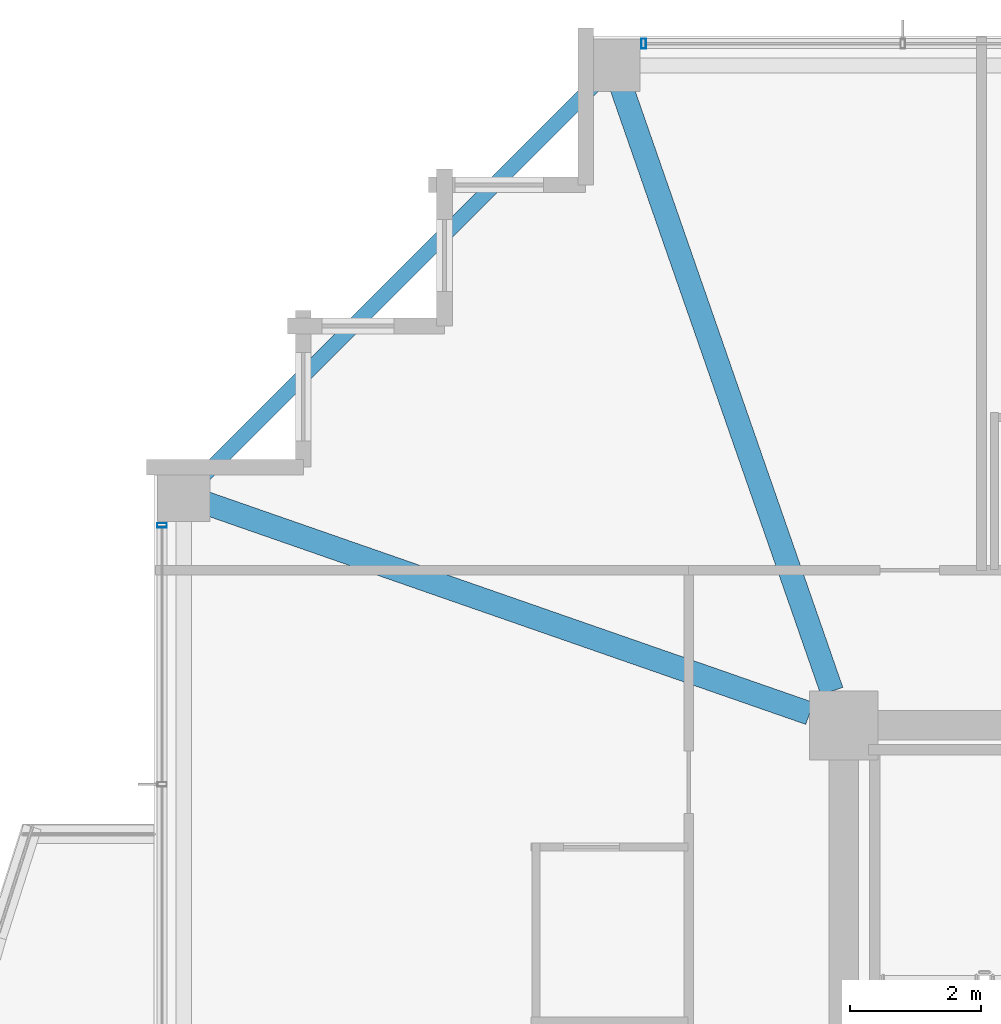
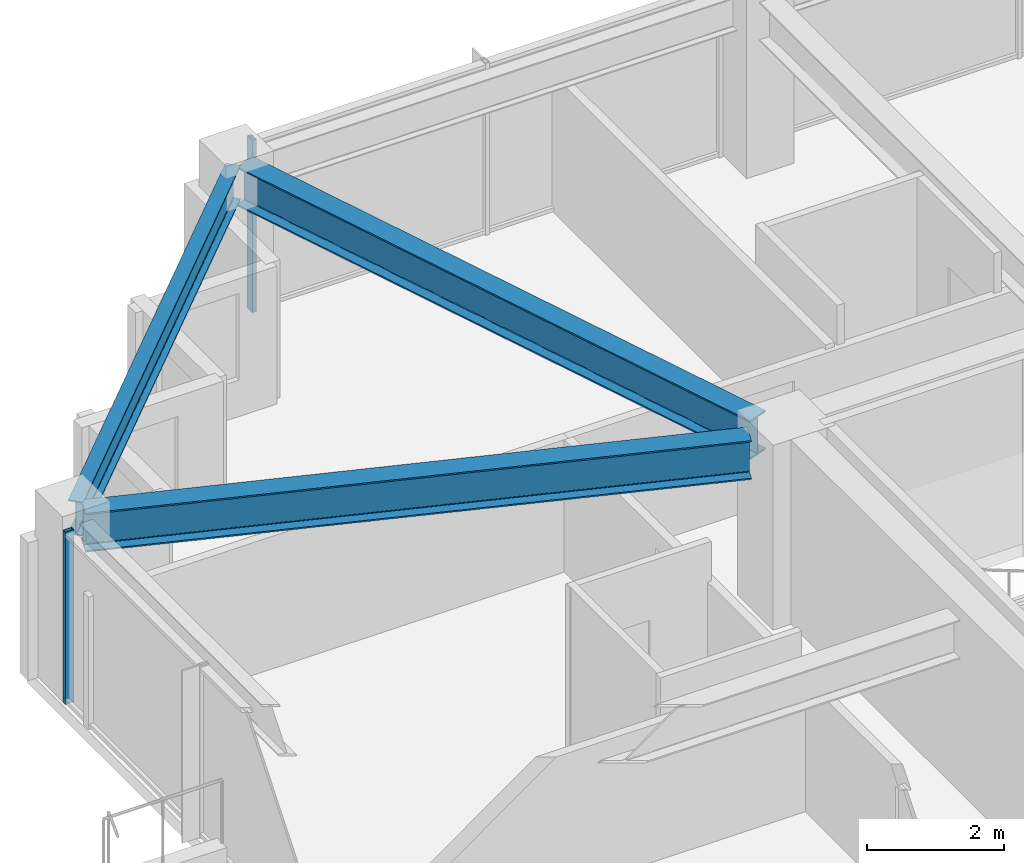
# One storey, part 16 of 34: 3 beams, 2 members, 2 elements without a shape of their own.
"""IFC4 building model written with IfcOpenShell, lengths in metres."""

from ifc_helpers import new_model, si_unit, direction, frame, origin, origin_2d, place, context, subcontext, project, spatial, hollow_rectangle, i_section, extrude, material, material_profile, profile_set, type_object, element, aggregate, save


model = new_model("IFC4")

# Units and contexts
model_context = context("Model", 3, precision=1e-05, world=origin(), true_north=direction((0.0, 1.0)))
body_context = subcontext(model_context, "Body", "Model", "MODEL_VIEW")
ifc_project = project(units=[si_unit("LENGTHUNIT", "METRE"), si_unit("AREAUNIT", "SQUARE_METRE"), si_unit("VOLUMEUNIT", "CUBIC_METRE"), si_unit("PLANEANGLEUNIT", "RADIAN"), si_unit("MASSUNIT", "GRAM", prefix="KILO")], contexts=[model_context])

# Site, building, storey
site_placement = place(None, origin())
site = spatial("IfcSite", under=ifc_project, at=site_placement, CompositionType="ELEMENT")
building_placement = place(site_placement, origin())
building = spatial("IfcBuilding", under=site, at=building_placement, Name="Kolvaren Belvedere", CompositionType="ELEMENT")
storey_placement = place(building_placement, frame((0.0, 0.0, 222.89990234375)))
storey = spatial("IfcBuildingStorey", under=building, at=storey_placement, Name="L65", CompositionType="ELEMENT", Elevation=222.89990234375)

# Beams
ifc_material_1 = material(Name="Structural steel ASTM A992 Grade 50", Category="steel")
ifc_material_profile_1 = material_profile(ifc_material_1, i_section(OverallWidth=0.35498046875, OverallDepth=0.696044921875, WebThickness=0.015380859375, FlangeThickness=0.02490234375, FilletRadius=0.02197265625, at=origin_2d()), Name="W27X146")
ifc_profile_set_1 = profile_set([ifc_material_profile_1], Name="Structural steel ASTM A992 Grade 50")
beam_type_1 = type_object("IfcBeamType", Name="BM-GIRD-W27X146", PredefinedType="BEAM", material=ifc_profile_set_1)
for number, where, z_axis, x_axis, name in (
    (1, (-10.080810546875, 10.41943359375, 2.732177734375), (-0.328898147971, 0.944365399758, 0.0), (-0.944365399758, -0.328898147971, 0.0), "L65 Corner Core-to-Perimeter Girder CC4-N1"),
    (2, (-10.41943359375, 10.080810546875, 2.732177734375), (-0.944365399758, 0.328898147971, 0.0), (-0.328898147971, -0.944365399758, 0.0), "L65 Corner Core-to-Perimeter Girder CC4-W4"),
):
    element("IfcBeam", number, at=place(storey_placement, frame(where, z_axis=z_axis, x_axis=x_axis)), inside=storey, type_object=beam_type_1, Name=name, PredefinedType="BEAM", context=body_context, shape_type="SweptSolid", body=[
        extrude(i_section(OverallWidth=0.35498046875, OverallDepth=0.696044921875, WebThickness=0.015380859375, FlangeThickness=0.02490234375, FilletRadius=0.02197265625, at=origin_2d()), origin(), (0.0, 0.0, 1.0), 9.931884765625),
    ])
ifc_material_2 = material(Name="Structural steel ASTM A992 Grade 50", Category="steel")
ifc_material_profile_2 = material_profile(ifc_material_2, i_section(OverallWidth=0.22900390625, OverallDepth=0.612060546875, WebThickness=0.011962890625, FlangeThickness=0.01953125, FilletRadius=0.01806640625, at=origin_2d()), Name="W24X84")
ifc_profile_set_2 = profile_set([ifc_material_profile_2], Name="Structural steel ASTM A992 Grade 50")
beam_type_2 = type_object("IfcBeamType", Name="BM-SPAN-W24X84", PredefinedType="SPANDREL", material=ifc_profile_set_2)
beam_placement = place(storey_placement, frame((-13.52734375, 19.82275390625, 2.774169921875), z_axis=(-0.707106781187, -0.707106781187, 0.0), x_axis=(0.707106781187, -0.707106781187, 0.0)))
element("IfcBeam", 3, at=beam_placement, inside=storey, type_object=beam_type_2, Name="L65 Perimeter Spandrel N1-W4", PredefinedType="SPANDREL", context=body_context, shape_type="SweptSolid", body=[
    extrude(i_section(OverallWidth=0.22900390625, OverallDepth=0.612060546875, WebThickness=0.011962890625, FlangeThickness=0.01953125, FilletRadius=0.01806640625, at=origin_2d()), origin(), (0.0, 0.0, 1.0), 8.903076171875),
])

# Curtain wall, member
ifc_material_3 = material(Name="Anodised pale-metal aluminium AA 6063-T6", Category="aluminium")
curtain_wall_type = type_object("IfcCurtainWallType", Name="CW-Z5-HIGH", PredefinedType="NOTDEFINED", material=ifc_material_3)
curtain_wall_1_placement = place(storey_placement, origin())
curtain_wall_1 = element("IfcCurtainWall", 4, at=curtain_wall_1_placement, inside=storey, type_object=curtain_wall_type, Name="L65 Unitised Curtain Wall FCW-L65-N-B1", PredefinedType="NOTDEFINED")
ifc_material_4 = material(Name="Anodised pale-metal aluminium AA 6063-T6", Category="aluminium")
ifc_material_profile_3 = material_profile(ifc_material_4, hollow_rectangle(XDim=0.070068359375, YDim=0.14990234375, WallThickness=0.004150390625, at=origin_2d()), Name="ALU-MUL-150X70")
ifc_profile_set_3 = profile_set([ifc_material_profile_3], Name="Anodised pale-metal aluminium AA 6063-T6")
member_type = type_object("IfcMemberType", Name="CW-MUL-150", PredefinedType="MULLION", material=ifc_profile_set_3)
member_1_placement = place(storey_placement, frame((-12.945068359375, 20.280029296875, 0.0), z_axis=(0.0, 0.0, 1.0), x_axis=(1.0, 0.0, 0.0)))
member_1 = element("IfcMember", 5, at=member_1_placement, type_object=member_type, Name="FCW-L65-N-B1 Unitised Mullion 1", PredefinedType="MULLION", context=body_context, shape_type="SweptSolid", body=[
    extrude(hollow_rectangle(XDim=0.070068359375, YDim=0.14990234375, WallThickness=0.004150390625, at=origin_2d()), origin(), (0.0, 0.0, 1.0), 3.080078125),
])
aggregate(curtain_wall_1, [member_1])

curtain_wall_2_placement = place(storey_placement, origin())
curtain_wall_2 = element("IfcCurtainWall", 6, at=curtain_wall_2_placement, inside=storey, type_object=curtain_wall_type, Name="L65 Unitised Curtain Wall FCW-L65-W2-B2", PredefinedType="NOTDEFINED")
member_2_placement = place(storey_placement, frame((-20.280029296875, 12.945068359375, 0.0), z_axis=(0.0, 0.0, 1.0), x_axis=(0.0, 1.0, 0.0)))
member_2 = element("IfcMember", 7, at=member_2_placement, type_object=member_type, Name="FCW-L65-W2-B2 Unitised Mullion 3", PredefinedType="MULLION", context=body_context, shape_type="SweptSolid", body=[
    extrude(hollow_rectangle(XDim=0.070068359375, YDim=0.14990234375, WallThickness=0.004150390625, at=origin_2d()), origin(), (0.0, 0.0, 1.0), 3.080078125),
])
aggregate(curtain_wall_2, [member_2])

save(model, "model.ifc")
